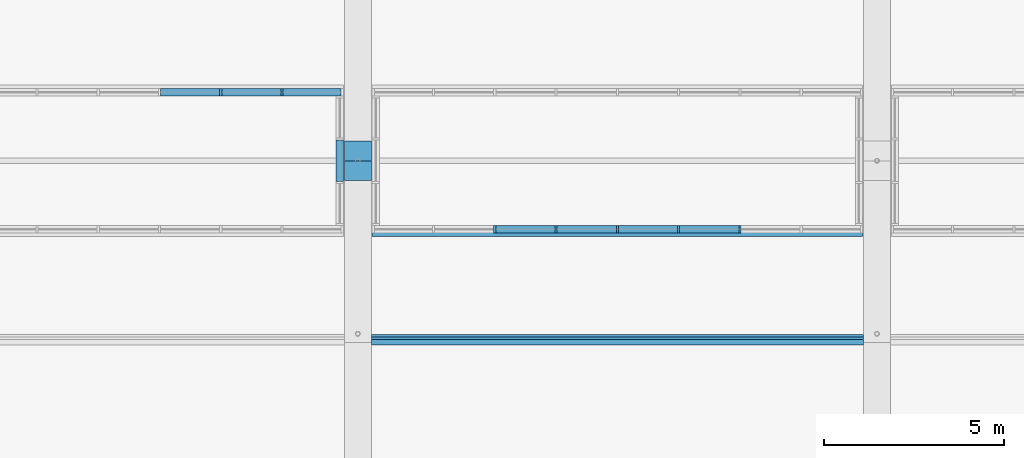
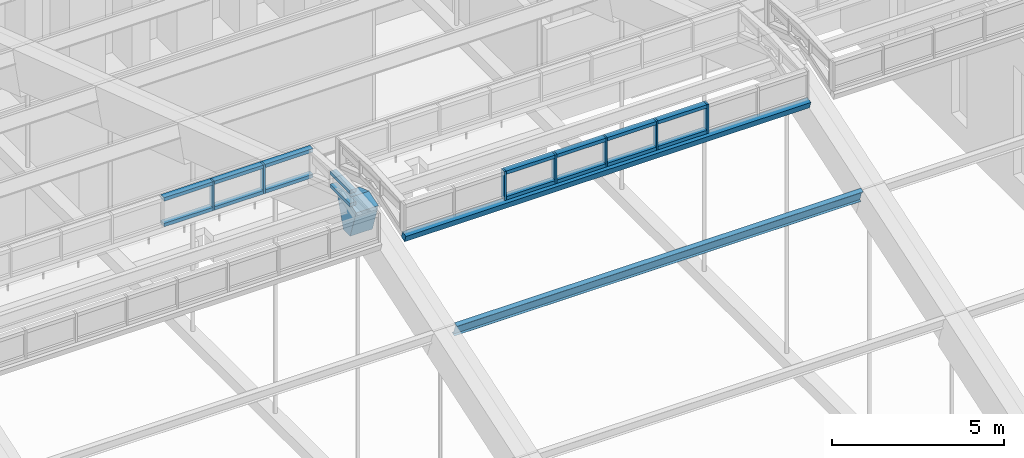
# One storey, part 71 of 149: 26 members, 3 elements without a shape of their own.
"""IFC4 building model written with IfcOpenShell, lengths in metres."""

import ifcopenshell
import ifcopenshell.guid

model = None  # the IFC model being written
_history = None  # IfcOwnerHistory: only IFC2X3 demands one
_inside = {}  # id of a spatial element -> (the spatial element, [elements in it])
_under = {}  # id of a project, library or spatial element -> (it, [spatial elements below it])
_declared = {}  # id of a project -> (the project, [libraries it declares])
_typed = {}  # id of a type object -> (the type object, [elements of that type])
_made_of = {}  # id of a material, layer set ... -> (it, [elements and type objects made of it])


def new_model(schema):
    """Start an empty IFC model of exactly this schema.

    Asked for "IFC4X3", IfcOpenShell would pick the latest addendum, in which some entities
    have other attributes; the version numbers below select the first issue.
    IFC2X3 requires an IfcOwnerHistory on every rooted entity: one is made here for all.
    """
    global model, _history
    if schema == "IFC4X3":
        model = ifcopenshell.file(schema_version=(4, 3, 0, 0))
    else:
        model = ifcopenshell.file(schema=schema)
    _inside.clear()
    _under.clear()
    _declared.clear()
    _typed.clear()
    _made_of.clear()
    _history = None
    if model.schema == "IFC2X3":
        org = make("IfcOrganization", Name="unknown")
        user = make(
            "IfcPersonAndOrganization",
            ThePerson=make("IfcPerson", FamilyName="unknown"),
            TheOrganization=org,
        )
        app = make(
            "IfcApplication",
            ApplicationDeveloper=org,
            Version="unknown",
            ApplicationFullName="unknown",
            ApplicationIdentifier="unknown",
        )
        _history = make(
            "IfcOwnerHistory",
            OwningUser=user,
            OwningApplication=app,
            ChangeAction="ADDED",
            CreationDate=0,
        )
    return model


def make(cls, **values):
    """One entity of the class cls with the attributes given. An attribute that is None is left unset."""
    return model.create_entity(
        cls, **{name: value for name, value in values.items() if value is not None}
    )


def rooted(cls, **values):
    """An entity with a GlobalId (a new one), such as an element, a storey or a relation."""
    return make(cls, GlobalId=ifcopenshell.guid.new(), OwnerHistory=_history, **values)


def si_unit(unit_type, name, prefix=None):
    """IfcSIUnit, for example si_unit("LENGTHUNIT", "METRE", prefix="MILLI")."""
    return make("IfcSIUnit", UnitType=unit_type, Prefix=prefix, Name=name)


def assignment(units):
    """IfcUnitAssignment: the units of a project."""
    return None if units is None else make("IfcUnitAssignment", Units=units)


def point(xyz):
    """IfcCartesianPoint."""
    return None if xyz is None else make("IfcCartesianPoint", Coordinates=xyz)


def direction(xyz):
    """IfcDirection."""
    return None if xyz is None else make("IfcDirection", DirectionRatios=xyz)


def frame(location, z_axis=None, x_axis=None):
    """IfcAxis2Placement3D, a coordinate frame: its origin and axes. An axis left out is left unset."""
    return make(
        "IfcAxis2Placement3D",
        Location=point(location),
        Axis=direction(z_axis),
        RefDirection=direction(x_axis),
    )


def frame_2d(location, x_axis=None):
    """IfcAxis2Placement2D, a coordinate frame in the plane: its origin and x axis."""
    return make(
        "IfcAxis2Placement2D", Location=point(location), RefDirection=direction(x_axis)
    )


def origin():
    """The frame at (0, 0, 0) with its axes left unset."""
    return frame((0.0, 0.0, 0.0))


def origin_2d():
    """The frame at (0, 0) in the plane with its x axis left unset."""
    return frame_2d((0.0, 0.0))


def place(relative_to, where):
    """IfcLocalPlacement: puts the frame where relative to a parent placement (None: the world)."""
    return make(
        "IfcLocalPlacement", PlacementRelTo=relative_to, RelativePlacement=where
    )


def context(
    kind, dimensions, precision=None, world=None, true_north=None, identifier=None
):
    """IfcGeometricRepresentationContext, for example the 3D "Model" context."""
    return make(
        "IfcGeometricRepresentationContext",
        ContextIdentifier=identifier,
        ContextType=kind,
        CoordinateSpaceDimension=dimensions,
        Precision=precision,
        WorldCoordinateSystem=world,
        TrueNorth=true_north,
    )


def subcontext(parent, identifier, kind, view, scale=None):
    """IfcGeometricRepresentationSubContext, for example "Body" below "Model"."""
    return make(
        "IfcGeometricRepresentationSubContext",
        ContextIdentifier=identifier,
        ContextType=kind,
        ParentContext=parent,
        TargetScale=scale,
        TargetView=view,
    )


def project(units=None, contexts=None):
    """IfcProject with its units and contexts."""
    return rooted(
        "IfcProject",
        Name="project",
        RepresentationContexts=contexts,
        UnitsInContext=assignment(units),
    )


def spatial(cls, under=None, at=None, **own):
    """A site, building, storey or space (cls), placed at a placement, below another one or the project."""
    s = rooted(cls, ObjectPlacement=at, **own)
    if under is not None:
        _under.setdefault(under.id(), (under, []))[1].append(s)
    return s


def polyline(points):
    """IfcPolyline through the points."""
    return make("IfcPolyline", Points=[point(p) for p in points])


def profile(cls, at=None, kind="AREA", **sizes):
    """A parametric profile (cls). Its sizes go by their IFC names, for example OverallWidth=200.0."""
    return make(cls, ProfileType=kind, Position=at, **sizes)


def rectangle(**sizes):
    """IfcRectangleProfileDef."""
    return profile("IfcRectangleProfileDef", **sizes)


def i_section(**sizes):
    """IfcIShapeProfileDef."""
    return profile("IfcIShapeProfileDef", **sizes)


def outline(outer, holes=None, kind="AREA"):
    """IfcArbitraryClosedProfileDef: a profile drawn as a closed curve; with holes, ...WithVoids."""
    if holes is None:
        return make("IfcArbitraryClosedProfileDef", ProfileType=kind, OuterCurve=outer)
    return make(
        "IfcArbitraryProfileDefWithVoids",
        ProfileType=kind,
        OuterCurve=outer,
        InnerCurves=holes,
    )


def extrude(swept, where, along, depth):
    """IfcExtrudedAreaSolid: the profile swept, set in the frame where, extruded along a direction by depth."""
    return make(
        "IfcExtrudedAreaSolid",
        SweptArea=swept,
        Position=where,
        ExtrudedDirection=direction(along),
        Depth=depth,
    )


def shape(context_of_items, identifier, shape_type, items):
    """IfcShapeRepresentation: the items that make up one representation, for example the "Body"."""
    return make(
        "IfcShapeRepresentation",
        ContextOfItems=context_of_items,
        RepresentationIdentifier=identifier,
        RepresentationType=shape_type,
        Items=items,
    )


def material(Name=None, Category=None):
    """IfcMaterial."""
    return make("IfcMaterial", Name=Name, Category=Category)


def material_profile(
    of_material, cross_section, Name=None, Category=None, Priority=None
):
    """IfcMaterialProfile: a cross section and its material."""
    return make(
        "IfcMaterialProfile",
        Name=Name,
        Material=of_material,
        Profile=cross_section,
        Priority=Priority,
        Category=Category,
    )


def profile_set(profiles, Name=None, composite=None):
    """IfcMaterialProfileSet."""
    return make(
        "IfcMaterialProfileSet",
        Name=Name,
        MaterialProfiles=profiles,
        CompositeProfile=composite,
    )


def made_of(thing, what):
    """Note that an element or type object is made of a material, layer set ...; save() writes the relation."""
    if what is not None:
        _made_of.setdefault(what.id(), (what, []))[1].append(thing)
    return thing


def type_object(cls, material=None, **own):
    """A type object (cls), such as IfcWallType, which elements share."""
    return made_of(rooted(cls, **own), material)


def element(
    cls,
    number,
    at=None,
    inside=None,
    cuts=None,
    type_object=None,
    material=None,
    context=None,
    identifier="Body",
    shape_type=None,
    held_by="IfcProductDefinitionShape",
    body=None,
    shapes=None,
    **own,
):
    """One element of the class cls, such as IfcWall. Its Tag is "e" and its number.

    at: its placement. inside: the storey or other place that contains it. cuts: it is an
    opening in that element (IfcRelVoidsElement). A single representation is given by context,
    identifier, shape_type and body (its items); several are given by shapes. held_by: the class
    of the entity that holds the representations. save() writes the other relations.
    """
    e = rooted(cls, Tag="e%d" % number, ObjectPlacement=at, **own)
    if body is not None:
        shapes = [shape(context, identifier, shape_type, body)]
    if shapes is not None:
        e.Representation = make(held_by, Representations=shapes)
    if inside is not None:
        _inside.setdefault(inside.id(), (inside, []))[1].append(e)
    if cuts is not None:
        rooted(
            "IfcRelVoidsElement", RelatingBuildingElement=cuts, RelatedOpeningElement=e
        )
    if type_object is not None:
        _typed.setdefault(type_object.id(), (type_object, []))[1].append(e)
    return made_of(e, material)


def aggregate(whole, parts):
    """IfcRelAggregates: a whole, such as a stair, and the parts it consists of."""
    return rooted("IfcRelAggregates", RelatingObject=whole, RelatedObjects=parts)


def save(model, path):
    """Write the relations noted so far, then the file.

    IfcRelAggregates (storeys below a building ...), IfcRelContainedInSpatialStructure (elements
    in a storey), IfcRelDefinesByType, IfcRelAssociatesMaterial and IfcRelDeclares: one each for
    every whole, place, type object, material and project.
    """
    for whole, parts in _under.values():
        aggregate(whole, parts)
    for where, things in _inside.values():
        rooted(
            "IfcRelContainedInSpatialStructure",
            RelatedElements=things,
            RelatingStructure=where,
        )
    for kind, things in _typed.values():
        rooted("IfcRelDefinesByType", RelatedObjects=things, RelatingType=kind)
    for what, things in _made_of.values():
        rooted("IfcRelAssociatesMaterial", RelatedObjects=things, RelatingMaterial=what)
    for by, libraries in _declared.values():
        rooted("IfcRelDeclares", RelatingContext=by, RelatedDefinitions=libraries)
    model.write(path)


model = new_model("IFC4")

# Units and contexts
model_context = context("Model", 3, precision=1e-05, world=origin(), true_north=direction((0.0, 1.0)))
body_context = subcontext(model_context, "Body", "Model", "MODEL_VIEW")
ifc_project = project(units=[si_unit("LENGTHUNIT", "METRE"), si_unit("AREAUNIT", "SQUARE_METRE"), si_unit("VOLUMEUNIT", "CUBIC_METRE"), si_unit("PLANEANGLEUNIT", "RADIAN"), si_unit("MASSUNIT", "GRAM", prefix="KILO")], contexts=[model_context])

# Site, building, storey
site_placement = place(None, origin())
site = spatial("IfcSite", under=ifc_project, at=site_placement, CompositionType="ELEMENT")
building_placement = place(site_placement, origin())
building = spatial("IfcBuilding", under=site, at=building_placement, Name="Alderwick Market Hall", CompositionType="ELEMENT")
storey_placement = place(building_placement, frame((0.0, 0.0, 9.60009765625)))
storey = spatial("IfcBuildingStorey", under=building, at=storey_placement, Name="L01", CompositionType="ELEMENT", Elevation=9.60009765625)

# Curtain wall, members
ifc_material_1 = material(Name="Aluminium", Category="aluminium")
curtain_wall_type = type_object("IfcCurtainWallType", Name="R Curtain Wall Frame", PredefinedType="NOTDEFINED", material=ifc_material_1)
curtain_wall_1_placement = place(storey_placement, origin())
curtain_wall_1 = element("IfcCurtainWall", 1, at=curtain_wall_1_placement, inside=storey, type_object=curtain_wall_type, Name="Curtain wall LCW N5", PredefinedType="NOTDEFINED")
ifc_material_profile_1 = material_profile(ifc_material_1, rectangle(XDim=0.199951171875, YDim=0.06005859375, at=origin_2d()), Name="AL 60x200")
ifc_profile_set_1 = profile_set([ifc_material_profile_1], Name="Aluminium")
member_type_1 = type_object("IfcMemberType", Name="R CW Mullion 60x200", PredefinedType="MULLION", material=ifc_profile_set_1)
member_1_placement = place(storey_placement, frame((118.60009765625, 81.10009765625, 16.670166015625), z_axis=(0.0, 0.0, 1.0), x_axis=(0.0, 1.0, 0.0)))
member_1 = element("IfcMember", 2, at=member_1_placement, type_object=member_type_1, Name="LCW N5 mullion 7", PredefinedType="MULLION", context=body_context, shape_type="SweptSolid", body=[
    extrude(rectangle(XDim=0.199951171875, YDim=0.06005859375, at=origin_2d()), origin(), (0.0, 0.0, 1.0), 1.02978515625),
])
member_2_placement = place(storey_placement, frame((120.300048828125, 81.10009765625, 16.670166015625), z_axis=(0.0, 0.0, 1.0), x_axis=(0.0, 1.0, 0.0)))
member_2 = element("IfcMember", 3, at=member_2_placement, type_object=member_type_1, Name="LCW N5 mullion 8", PredefinedType="MULLION", context=body_context, shape_type="SweptSolid", body=[
    extrude(rectangle(XDim=0.199951171875, YDim=0.06005859375, at=origin_2d()), origin(), (0.0, 0.0, 1.0), 1.02978515625),
])

curtain_wall_2_placement = place(storey_placement, origin())
curtain_wall_2 = element("IfcCurtainWall", 4, at=curtain_wall_2_placement, inside=storey, type_object=curtain_wall_type, Name="Curtain wall LCW S6", PredefinedType="NOTDEFINED")
member_3_placement = place(storey_placement, frame((126.199951171875, 77.300048828125, 16.670166015625), z_axis=(0.0, 0.0, 1.0), x_axis=(0.0, 1.0, 0.0)))
member_3 = element("IfcMember", 5, at=member_3_placement, type_object=member_type_1, Name="LCW S6 mullion 3", PredefinedType="MULLION", context=body_context, shape_type="SweptSolid", body=[
    extrude(rectangle(XDim=0.199951171875, YDim=0.06005859375, at=origin_2d()), origin(), (0.0, 0.0, 1.0), 1.02978515625),
])
member_4_placement = place(storey_placement, frame((127.89990234375, 77.300048828125, 16.670166015625), z_axis=(0.0, 0.0, 1.0), x_axis=(0.0, 1.0, 0.0)))
member_4 = element("IfcMember", 6, at=member_4_placement, type_object=member_type_1, Name="LCW S6 mullion 4", PredefinedType="MULLION", context=body_context, shape_type="SweptSolid", body=[
    extrude(rectangle(XDim=0.199951171875, YDim=0.06005859375, at=origin_2d()), origin(), (0.0, 0.0, 1.0), 1.02978515625),
])
member_5_placement = place(storey_placement, frame((129.60009765625, 77.300048828125, 16.670166015625), z_axis=(0.0, 0.0, 1.0), x_axis=(0.0, 1.0, 0.0)))
member_5 = element("IfcMember", 7, at=member_5_placement, type_object=member_type_1, Name="LCW S6 mullion 5", PredefinedType="MULLION", context=body_context, shape_type="SweptSolid", body=[
    extrude(rectangle(XDim=0.199951171875, YDim=0.06005859375, at=origin_2d()), origin(), (0.0, 0.0, 1.0), 1.02978515625),
])
member_6_placement = place(storey_placement, frame((131.300048828125, 77.300048828125, 16.670166015625), z_axis=(0.0, 0.0, 1.0), x_axis=(0.0, 1.0, 0.0)))
member_6 = element("IfcMember", 8, at=member_6_placement, type_object=member_type_1, Name="LCW S6 mullion 6", PredefinedType="MULLION", context=body_context, shape_type="SweptSolid", body=[
    extrude(rectangle(XDim=0.199951171875, YDim=0.06005859375, at=origin_2d()), origin(), (0.0, 0.0, 1.0), 1.02978515625),
])
member_7_placement = place(storey_placement, frame((133.0, 77.300048828125, 16.670166015625), z_axis=(0.0, 0.0, 1.0), x_axis=(0.0, 1.0, 0.0)))
member_7 = element("IfcMember", 9, at=member_7_placement, type_object=member_type_1, Name="LCW S6 mullion 7", PredefinedType="MULLION", context=body_context, shape_type="SweptSolid", body=[
    extrude(rectangle(XDim=0.199951171875, YDim=0.06005859375, at=origin_2d()), origin(), (0.0, 0.0, 1.0), 1.02978515625),
])

# Member
ifc_material_profile_2 = material_profile(ifc_material_1, rectangle(XDim=0.199951171875, YDim=0.1201171875, at=origin_2d()), Name="AL 120x200")
ifc_profile_set_2 = profile_set([ifc_material_profile_2], Name="Aluminium")
member_type_2 = type_object("IfcMemberType", Name="R CW Transom 120x200", PredefinedType="USERDEFINED", material=ifc_profile_set_2)
member_8_placement = place(storey_placement, frame((116.929931640625, 81.10009765625, 16.730224609375), z_axis=(1.0, 0.0, 0.0), x_axis=(0.0, 1.0, 0.0)))
member_8 = element("IfcMember", 10, at=member_8_placement, type_object=member_type_2, Name="LCW N5 sill transom 6", ObjectType="TRANSOM", PredefinedType="USERDEFINED", context=body_context, shape_type="SweptSolid", body=[
    extrude(rectangle(XDim=0.199951171875, YDim=0.1201171875, at=origin_2d()), origin(), (0.0, 0.0, 1.0), 1.64013671875),
])

member_9_placement = place(storey_placement, frame((116.929931640625, 81.10009765625, 17.639892578125), z_axis=(1.0, 0.0, 0.0), x_axis=(0.0, 1.0, 0.0)))
member_9 = element("IfcMember", 11, at=member_9_placement, type_object=member_type_2, Name="LCW N5 head transom 6", ObjectType="TRANSOM", PredefinedType="USERDEFINED", context=body_context, shape_type="SweptSolid", body=[
    extrude(rectangle(XDim=0.199951171875, YDim=0.1201171875, at=origin_2d()), origin(), (0.0, 0.0, 1.0), 1.64013671875),
])

member_10_placement = place(storey_placement, frame((118.6298828125, 81.10009765625, 16.730224609375), z_axis=(1.0, 0.0, 0.0), x_axis=(0.0, 1.0, 0.0)))
member_10 = element("IfcMember", 12, at=member_10_placement, type_object=member_type_2, Name="LCW N5 sill transom 7", ObjectType="TRANSOM", PredefinedType="USERDEFINED", context=body_context, shape_type="SweptSolid", body=[
    extrude(rectangle(XDim=0.199951171875, YDim=0.1201171875, at=origin_2d()), origin(), (0.0, 0.0, 1.0), 1.64013671875),
])

member_11_placement = place(storey_placement, frame((118.6298828125, 81.10009765625, 17.639892578125), z_axis=(1.0, 0.0, 0.0), x_axis=(0.0, 1.0, 0.0)))
member_11 = element("IfcMember", 13, at=member_11_placement, type_object=member_type_2, Name="LCW N5 head transom 7", ObjectType="TRANSOM", PredefinedType="USERDEFINED", context=body_context, shape_type="SweptSolid", body=[
    extrude(rectangle(XDim=0.199951171875, YDim=0.1201171875, at=origin_2d()), origin(), (0.0, 0.0, 1.0), 1.64013671875),
])

member_12_placement = place(storey_placement, frame((120.330078125, 81.10009765625, 16.730224609375), z_axis=(1.0, 0.0, 0.0), x_axis=(0.0, 1.0, 0.0)))
member_12 = element("IfcMember", 14, at=member_12_placement, type_object=member_type_2, Name="LCW N5 sill transom 8", ObjectType="TRANSOM", PredefinedType="USERDEFINED", context=body_context, shape_type="SweptSolid", body=[
    extrude(rectangle(XDim=0.199951171875, YDim=0.1201171875, at=origin_2d()), origin(), (0.0, 0.0, 1.0), 1.60986328125),
])

member_13_placement = place(storey_placement, frame((120.330078125, 81.10009765625, 17.639892578125), z_axis=(1.0, 0.0, 0.0), x_axis=(0.0, 1.0, 0.0)))
member_13 = element("IfcMember", 15, at=member_13_placement, type_object=member_type_2, Name="LCW N5 head transom 8", ObjectType="TRANSOM", PredefinedType="USERDEFINED", context=body_context, shape_type="SweptSolid", body=[
    extrude(rectangle(XDim=0.199951171875, YDim=0.1201171875, at=origin_2d()), origin(), (0.0, 0.0, 1.0), 1.60986328125),
])

aggregate(curtain_wall_1, [member_1, member_2, member_8, member_9, member_10, member_11, member_12, member_13])

# Curtain wall, members
curtain_wall_3_placement = place(storey_placement, origin())
curtain_wall_3 = element("IfcCurtainWall", 16, at=curtain_wall_3_placement, inside=storey, type_object=curtain_wall_type, Name="Curtain wall LCW E5", PredefinedType="NOTDEFINED")
member_14_placement = place(storey_placement, frame((121.89990234375, 78.6298828125, 17.173583984375), z_axis=(0.0, 1.0, 0.0), x_axis=(-1.0, 0.0, 0.0)))
member_14 = element("IfcMember", 17, at=member_14_placement, type_object=member_type_2, Name="LCW E5 sill transom 2", ObjectType="TRANSOM", PredefinedType="USERDEFINED", context=body_context, shape_type="SweptSolid", body=[
    extrude(rectangle(XDim=0.199951171875, YDim=0.1201171875, at=origin_2d()), origin(), (0.0, 0.0, 1.0), 1.14013671875),
])
member_15_placement = place(storey_placement, frame((121.89990234375, 78.6298828125, 17.639892578125), z_axis=(0.0, 1.0, 0.0), x_axis=(-1.0, 0.0, 0.0)))
member_15 = element("IfcMember", 18, at=member_15_placement, type_object=member_type_2, Name="LCW E5 head transom 2", ObjectType="TRANSOM", PredefinedType="USERDEFINED", context=body_context, shape_type="SweptSolid", body=[
    extrude(rectangle(XDim=0.199951171875, YDim=0.1201171875, at=origin_2d()), origin(), (0.0, 0.0, 1.0), 1.14013671875),
])
aggregate(curtain_wall_3, [member_14, member_15])

# Member
member_16_placement = place(storey_placement, frame((126.22998046875, 77.300048828125, 16.730224609375), z_axis=(1.0, 0.0, 0.0), x_axis=(0.0, 1.0, 0.0)))
member_16 = element("IfcMember", 19, at=member_16_placement, type_object=member_type_2, Name="LCW S6 sill transom 3", ObjectType="TRANSOM", PredefinedType="USERDEFINED", context=body_context, shape_type="SweptSolid", body=[
    extrude(rectangle(XDim=0.199951171875, YDim=0.1201171875, at=origin_2d()), origin(), (0.0, 0.0, 1.0), 1.64013671875),
])

member_17_placement = place(storey_placement, frame((126.22998046875, 77.300048828125, 17.639892578125), z_axis=(1.0, 0.0, 0.0), x_axis=(0.0, 1.0, 0.0)))
member_17 = element("IfcMember", 20, at=member_17_placement, type_object=member_type_2, Name="LCW S6 head transom 3", ObjectType="TRANSOM", PredefinedType="USERDEFINED", context=body_context, shape_type="SweptSolid", body=[
    extrude(rectangle(XDim=0.199951171875, YDim=0.1201171875, at=origin_2d()), origin(), (0.0, 0.0, 1.0), 1.64013671875),
])

member_18_placement = place(storey_placement, frame((127.929931640625, 77.300048828125, 16.730224609375), z_axis=(1.0, 0.0, 0.0), x_axis=(0.0, 1.0, 0.0)))
member_18 = element("IfcMember", 21, at=member_18_placement, type_object=member_type_2, Name="LCW S6 sill transom 4", ObjectType="TRANSOM", PredefinedType="USERDEFINED", context=body_context, shape_type="SweptSolid", body=[
    extrude(rectangle(XDim=0.199951171875, YDim=0.1201171875, at=origin_2d()), origin(), (0.0, 0.0, 1.0), 1.64013671875),
])

member_19_placement = place(storey_placement, frame((127.929931640625, 77.300048828125, 17.639892578125), z_axis=(1.0, 0.0, 0.0), x_axis=(0.0, 1.0, 0.0)))
member_19 = element("IfcMember", 22, at=member_19_placement, type_object=member_type_2, Name="LCW S6 head transom 4", ObjectType="TRANSOM", PredefinedType="USERDEFINED", context=body_context, shape_type="SweptSolid", body=[
    extrude(rectangle(XDim=0.199951171875, YDim=0.1201171875, at=origin_2d()), origin(), (0.0, 0.0, 1.0), 1.64013671875),
])

member_20_placement = place(storey_placement, frame((129.6298828125, 77.300048828125, 16.730224609375), z_axis=(1.0, 0.0, 0.0), x_axis=(0.0, 1.0, 0.0)))
member_20 = element("IfcMember", 23, at=member_20_placement, type_object=member_type_2, Name="LCW S6 sill transom 5", ObjectType="TRANSOM", PredefinedType="USERDEFINED", context=body_context, shape_type="SweptSolid", body=[
    extrude(rectangle(XDim=0.199951171875, YDim=0.1201171875, at=origin_2d()), origin(), (0.0, 0.0, 1.0), 1.64013671875),
])

member_21_placement = place(storey_placement, frame((129.6298828125, 77.300048828125, 17.639892578125), z_axis=(1.0, 0.0, 0.0), x_axis=(0.0, 1.0, 0.0)))
member_21 = element("IfcMember", 24, at=member_21_placement, type_object=member_type_2, Name="LCW S6 head transom 5", ObjectType="TRANSOM", PredefinedType="USERDEFINED", context=body_context, shape_type="SweptSolid", body=[
    extrude(rectangle(XDim=0.199951171875, YDim=0.1201171875, at=origin_2d()), origin(), (0.0, 0.0, 1.0), 1.64013671875),
])

member_22_placement = place(storey_placement, frame((131.330078125, 77.300048828125, 16.730224609375), z_axis=(1.0, 0.0, 0.0), x_axis=(0.0, 1.0, 0.0)))
member_22 = element("IfcMember", 25, at=member_22_placement, type_object=member_type_2, Name="LCW S6 sill transom 6", ObjectType="TRANSOM", PredefinedType="USERDEFINED", context=body_context, shape_type="SweptSolid", body=[
    extrude(rectangle(XDim=0.199951171875, YDim=0.1201171875, at=origin_2d()), origin(), (0.0, 0.0, 1.0), 1.639892578125),
])

member_23_placement = place(storey_placement, frame((131.330078125, 77.300048828125, 17.639892578125), z_axis=(1.0, 0.0, 0.0), x_axis=(0.0, 1.0, 0.0)))
member_23 = element("IfcMember", 26, at=member_23_placement, type_object=member_type_2, Name="LCW S6 head transom 6", ObjectType="TRANSOM", PredefinedType="USERDEFINED", context=body_context, shape_type="SweptSolid", body=[
    extrude(rectangle(XDim=0.199951171875, YDim=0.1201171875, at=origin_2d()), origin(), (0.0, 0.0, 1.0), 1.639892578125),
])

ifc_material_2 = material(Name="Concrete 5000 psi (f'c 35 MPa)", Category="concrete")
ifc_material_profile_3 = material_profile(ifc_material_2, outline(polyline([(-0.199951171875, 0.0), (-0.5478515625, 1.04345703125), (0.0, 1.22607421875), (0.5478515625, 1.04345703125), (0.199951171875, 0.0), (-0.199951171875, 0.0)])), Name="RC crown knuckle")
ifc_profile_set_3 = profile_set([ifc_material_profile_3], Name="Concrete 5000 psi (f'c 35 MPa)")
member_type_3 = type_object("IfcMemberType", Name="R Crown Knuckle 750", PredefinedType="MEMBER", material=ifc_profile_set_3)
member_24_placement = place(storey_placement, frame((122.02490234375, 79.199951171875, 15.764404296875), z_axis=(1.0, 0.0, 0.0), x_axis=(0.0, 1.0, 0.0)))
element("IfcMember", 27, at=member_24_placement, inside=storey, type_object=member_type_3, Name="Crown knuckle 6", PredefinedType="MEMBER", context=body_context, shape_type="SweptSolid", body=[
    extrude(outline(polyline([(-0.199951171875, 0.0), (-0.5478515625, 1.04345703125), (0.0, 1.22607421875), (0.5478515625, 1.04345703125), (0.199951171875, 0.0), (-0.199951171875, 0.0)])), origin(), (0.0, 0.0, 1.0), 0.75),
])

ifc_material_3 = material(Name="Steel ASTM A572 Grade 50", Category="steel")
ifc_material_profile_4 = material_profile(ifc_material_3, rectangle(XDim=0.199951171875, YDim=0.25, at=origin_2d()), Name="Steel plate curb 200x250")
ifc_profile_set_4 = profile_set([ifc_material_profile_4], Name="Steel ASTM A572 Grade 50")
member_type_4 = type_object("IfcMemberType", Name="R Lantern Curb 200x250", PredefinedType="MEMBER", material=ifc_profile_set_4)
member_25_placement = place(storey_placement, frame((122.800048828125, 77.235107421875, 16.551513671875), z_axis=(1.0, 0.0, 0.0), x_axis=(0.0, 0.948683297073, 0.316227768949)))
member_25 = element("IfcMember", 28, at=member_25_placement, type_object=member_type_4, Name="Lantern curb S6", PredefinedType="MEMBER", context=body_context, shape_type="SweptSolid", body=[
    extrude(rectangle(XDim=0.199951171875, YDim=0.25, at=origin_2d()), origin(), (0.0, 0.0, 1.0), 13.599853515625),
])

aggregate(curtain_wall_2, [member_3, member_4, member_5, member_6, member_7, member_16, member_17, member_18, member_19, member_20, member_21, member_22, member_23, member_25])

ifc_material_4 = material(Name="Steel ASTM A992 Grade 50", Category="steel")
ifc_material_profile_5 = material_profile(ifc_material_4, i_section(OverallWidth=0.153076171875, OverallDepth=0.455078125, WebThickness=0.008056640625, FlangeThickness=0.01318359375, at=origin_2d()), Name="W18x40")
ifc_profile_set_5 = profile_set([ifc_material_profile_5], Name="Steel ASTM A992 Grade 50")
member_type_5 = type_object("IfcMemberType", Name="R Purlin W18x40", PredefinedType="PURLIN", material=ifc_profile_set_5)
member_26_placement = place(storey_placement, frame((122.77490234375, 74.236572265625, 15.08984375), z_axis=(1.0, 0.0, 0.0), x_axis=(0.0, 0.948683297073, 0.316227768949)))
element("IfcMember", 29, at=member_26_placement, inside=storey, type_object=member_type_5, Name="Roof purlin 6.6", PredefinedType="PURLIN", context=body_context, shape_type="SweptSolid", body=[
    extrude(i_section(OverallWidth=0.153076171875, OverallDepth=0.455078125, WebThickness=0.008056640625, FlangeThickness=0.01318359375, at=origin_2d()), origin(), (0.0, 0.0, 1.0), 13.650146484375),
])

save(model, "model.ifc")
